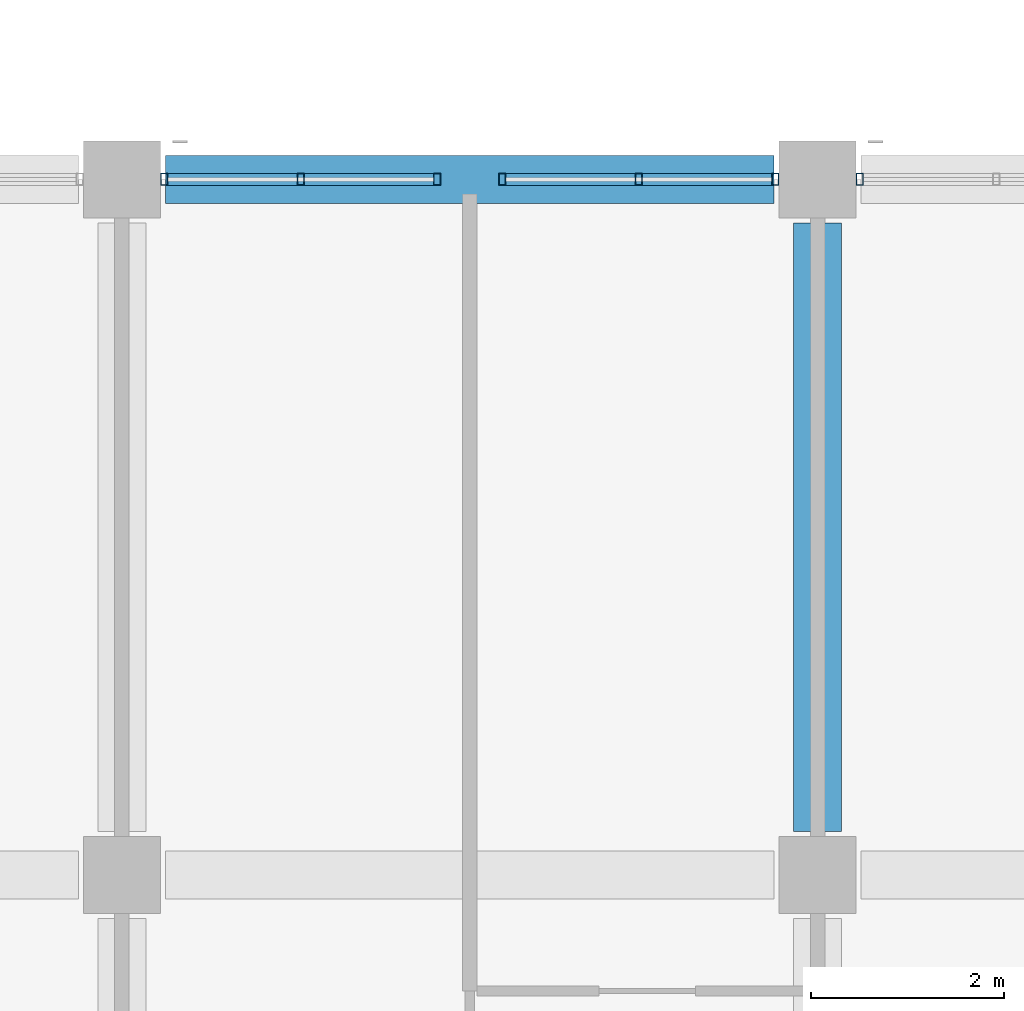
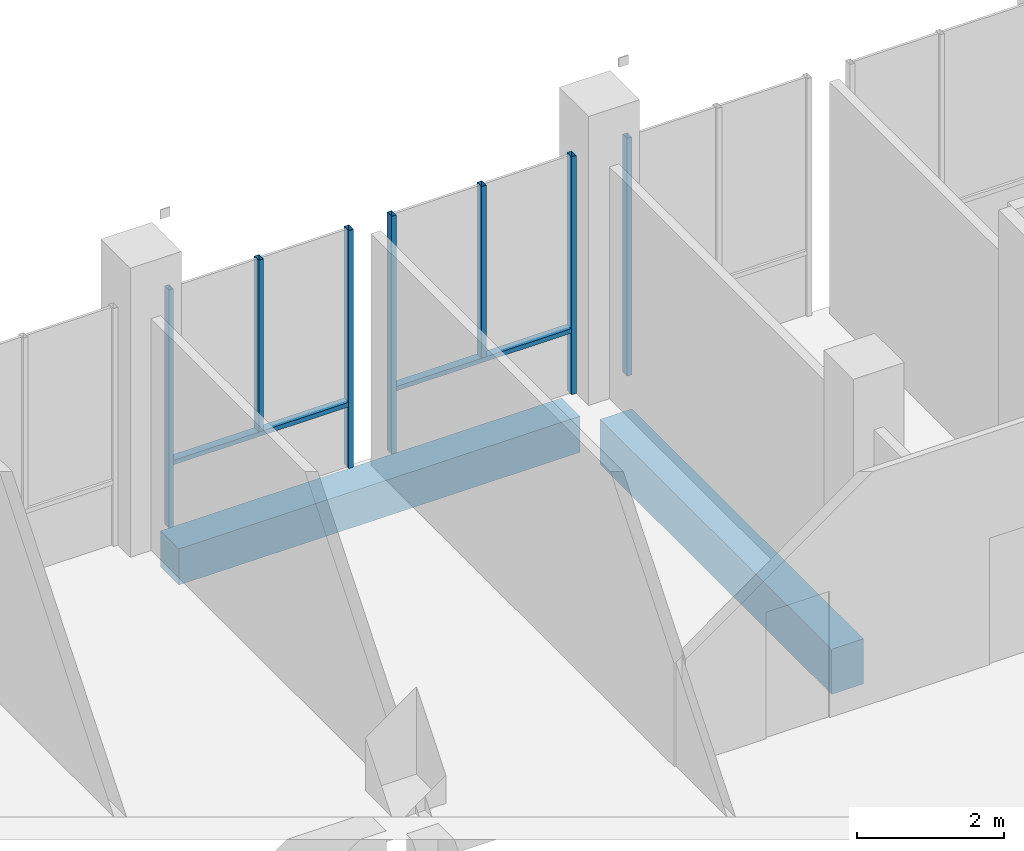
# One storey, part 3 of 31: 9 members, 2 beams, 3 elements without a shape of their own.
"""IFC4 building model written with IfcOpenShell, lengths in metres."""

from ifc_helpers import new_model, si_unit, direction, frame, origin, origin_2d, place, context, subcontext, project, spatial, rectangle, hollow_rectangle, extrude, material, material_profile, profile_set, type_object, element, aggregate, save


model = new_model("IFC4")

# Units and contexts
model_context = context("Model", 3, precision=1e-05, world=origin(), true_north=direction((0.0, 1.0)))
body_context = subcontext(model_context, "Body", "Model", "MODEL_VIEW")
ifc_project = project(units=[si_unit("LENGTHUNIT", "METRE"), si_unit("AREAUNIT", "SQUARE_METRE"), si_unit("VOLUMEUNIT", "CUBIC_METRE"), si_unit("PLANEANGLEUNIT", "RADIAN"), si_unit("MASSUNIT", "GRAM", prefix="KILO")], contexts=[model_context])

# Site, building, storey
site_placement = place(None, origin())
site = spatial("IfcSite", under=ifc_project, at=site_placement, CompositionType="ELEMENT")
building_placement = place(site_placement, origin())
building = spatial("IfcBuilding", under=site, at=building_placement, Name="Silangan Lancet Faculty of Sciences", CompositionType="ELEMENT")
storey_placement = place(building_placement, frame((0.0, 0.0, 36.0)))
storey = spatial("IfcBuildingStorey", under=building, at=storey_placement, Name="L07", CompositionType="ELEMENT", Elevation=36.0)

# Beams
ifc_material_1 = material(Name="Concrete C40/50", Category="concrete")
ifc_material_profile_1 = material_profile(ifc_material_1, rectangle(XDim=0.5, YDim=0.60009765625, at=origin_2d()), Name="RC 500x600")
ifc_profile_set_1 = profile_set([ifc_material_profile_1], Name="Concrete C40/50")
beam_type_1 = type_object("IfcBeamType", Name="BEAM RC 500x600", PredefinedType="BEAM", material=ifc_profile_set_1)
beam_1_placement = place(storey_placement, frame((7.64990234375, 21.60009765625, -0.550048828125), z_axis=(1.0, 0.0, 0.0), x_axis=(0.0, 1.0, 0.0)))
element("IfcBeam", 1, at=beam_1_placement, inside=storey, type_object=beam_type_1, Name="BM-L07-2D-3D", PredefinedType="BEAM", context=body_context, shape_type="SweptSolid", body=[
    extrude(rectangle(XDim=0.5, YDim=0.60009765625, at=origin_2d()), origin(), (0.0, 0.0, 1.0), 6.300048828125),
])
ifc_material_2 = material(Name="Concrete C40/50", Category="concrete")
ifc_material_profile_2 = material_profile(ifc_material_2, rectangle(XDim=0.5, YDim=0.75, at=origin_2d()), Name="RC 500x750")
ifc_profile_set_2 = profile_set([ifc_material_profile_2], Name="Concrete C40/50")
beam_type_2 = type_object("IfcBeamType", Name="BEAM RC 500x750", PredefinedType="BEAM", material=ifc_profile_set_2)
beam_2_placement = place(storey_placement, frame((14.39990234375, 14.85009765625, -0.625), z_axis=(0.0, 1.0, 0.0), x_axis=(-1.0, 0.0, 0.0)))
element("IfcBeam", 2, at=beam_2_placement, inside=storey, type_object=beam_type_2, Name="BM-L07-3C-3D", PredefinedType="BEAM", context=body_context, shape_type="SweptSolid", body=[
    extrude(rectangle(XDim=0.5, YDim=0.75, at=origin_2d()), origin(), (0.0, 0.0, 1.0), 6.2998046875),
])

# Curtain wall, member
ifc_material_3 = material(Name="Aluminium framed curtain wall with insulated glass", Category="aluminium")
curtain_wall_type = type_object("IfcCurtainWallType", Name="CW2 Atrium fire-resisting screen", PredefinedType="NOTDEFINED", material=ifc_material_3)
curtain_wall_1_placement = place(storey_placement, origin())
curtain_wall_1 = element("IfcCurtainWall", 3, at=curtain_wall_1_placement, inside=storey, type_object=curtain_wall_type, Name="CW2 Atrium south L07 bay 2", PredefinedType="NOTDEFINED")
ifc_material_4 = material(Name="Steel S355J2H", Category="steel")
ifc_material_profile_3 = material_profile(ifc_material_4, hollow_rectangle(XDim=0.074951171875, YDim=0.125, WallThickness=0.0048828125, at=origin_2d()), Name="ST BOX 75x125x5")
ifc_profile_set_3 = profile_set([ifc_material_profile_3], Name="Steel S355J2H")
member_type_1 = type_object("IfcMemberType", Name="CM2 Mullion 75x125", PredefinedType="MULLION", material=ifc_profile_set_3)
member_1_placement = place(storey_placement, frame((14.83740234375, 21.60009765625, 0.0), z_axis=(0.0, 0.0, 1.0), x_axis=(-1.0, 0.0, 0.0)))
member_1 = element("IfcMember", 4, at=member_1_placement, type_object=member_type_1, Name="CW2 Atrium south L07 bay 2 mullion 2", PredefinedType="MULLION", context=body_context, shape_type="SweptSolid", body=[
    extrude(hollow_rectangle(XDim=0.074951171875, YDim=0.125, WallThickness=0.0048828125, at=origin_2d()), origin(), (0.0, 0.0, 1.0), 3.949951171875),
])
aggregate(curtain_wall_1, [member_1])

# Curtain wall, members
curtain_wall_2_placement = place(storey_placement, origin())
curtain_wall_2 = element("IfcCurtainWall", 5, at=curtain_wall_2_placement, inside=storey, type_object=curtain_wall_type, Name="CW2 Atrium south L07 bay 3", PredefinedType="NOTDEFINED")
member_2_placement = place(storey_placement, frame((13.96240234375, 21.60009765625, 0.0), z_axis=(0.0, 0.0, 1.0), x_axis=(-1.0, 0.0, 0.0)))
member_2 = element("IfcMember", 6, at=member_2_placement, type_object=member_type_1, Name="CW2 Atrium south L07 bay 3 mullion 1", PredefinedType="MULLION", context=body_context, shape_type="SweptSolid", body=[
    extrude(hollow_rectangle(XDim=0.074951171875, YDim=0.125, WallThickness=0.0048828125, at=origin_2d()), origin(), (0.0, 0.0, 1.0), 3.949951171875),
])
member_3_placement = place(storey_placement, frame((11.137451171875, 21.60009765625, 0.0), z_axis=(0.0, 0.0, 1.0), x_axis=(-1.0, 0.0, 0.0)))
member_3 = element("IfcMember", 7, at=member_3_placement, type_object=member_type_1, Name="CW2 Atrium south L07 bay 3 mullion 2", PredefinedType="MULLION", context=body_context, shape_type="SweptSolid", body=[
    extrude(hollow_rectangle(XDim=0.074951171875, YDim=0.125, WallThickness=0.0048828125, at=origin_2d()), origin(), (0.0, 0.0, 1.0), 3.949951171875),
])
member_4_placement = place(storey_placement, frame((12.550048828125, 21.60009765625, 1.10009765625), z_axis=(0.0, 0.0, 1.0), x_axis=(-1.0, 0.0, 0.0)))
member_4 = element("IfcMember", 8, at=member_4_placement, type_object=member_type_1, Name="CW2 Atrium south L07 bay 3 mullion 3", PredefinedType="MULLION", context=body_context, shape_type="SweptSolid", body=[
    extrude(hollow_rectangle(XDim=0.074951171875, YDim=0.125, WallThickness=0.0048828125, at=origin_2d()), origin(), (0.0, 0.0, 1.0), 2.849853515625),
])

curtain_wall_3_placement = place(storey_placement, origin())
curtain_wall_3 = element("IfcCurtainWall", 9, at=curtain_wall_3_placement, inside=storey, type_object=curtain_wall_type, Name="CW2 Atrium south L07 bay 4", PredefinedType="NOTDEFINED")
member_5_placement = place(storey_placement, frame((10.46240234375, 21.60009765625, 0.0), z_axis=(0.0, 0.0, 1.0), x_axis=(-1.0, 0.0, 0.0)))
member_5 = element("IfcMember", 10, at=member_5_placement, type_object=member_type_1, Name="CW2 Atrium south L07 bay 4 mullion 1", PredefinedType="MULLION", context=body_context, shape_type="SweptSolid", body=[
    extrude(hollow_rectangle(XDim=0.074951171875, YDim=0.125, WallThickness=0.0048828125, at=origin_2d()), origin(), (0.0, 0.0, 1.0), 3.949951171875),
])
member_6_placement = place(storey_placement, frame((7.637451171875, 21.60009765625, 0.0), z_axis=(0.0, 0.0, 1.0), x_axis=(-1.0, 0.0, 0.0)))
member_6 = element("IfcMember", 11, at=member_6_placement, type_object=member_type_1, Name="CW2 Atrium south L07 bay 4 mullion 2", PredefinedType="MULLION", context=body_context, shape_type="SweptSolid", body=[
    extrude(hollow_rectangle(XDim=0.074951171875, YDim=0.125, WallThickness=0.0048828125, at=origin_2d()), origin(), (0.0, 0.0, 1.0), 3.949951171875),
])
member_7_placement = place(storey_placement, frame((9.050048828125, 21.60009765625, 1.10009765625), z_axis=(0.0, 0.0, 1.0), x_axis=(-1.0, 0.0, 0.0)))
member_7 = element("IfcMember", 12, at=member_7_placement, type_object=member_type_1, Name="CW2 Atrium south L07 bay 4 mullion 3", PredefinedType="MULLION", context=body_context, shape_type="SweptSolid", body=[
    extrude(hollow_rectangle(XDim=0.074951171875, YDim=0.125, WallThickness=0.0048828125, at=origin_2d()), origin(), (0.0, 0.0, 1.0), 2.849853515625),
])

# Member
ifc_material_5 = material(Name="Steel S355J2H", Category="steel")
ifc_material_profile_4 = material_profile(ifc_material_5, hollow_rectangle(XDim=0.125, YDim=0.074951171875, WallThickness=0.0048828125, at=origin_2d()), Name="ST BOX 125x75x5")
ifc_profile_set_4 = profile_set([ifc_material_profile_4], Name="Steel S355J2H")
member_type_2 = type_object("IfcMemberType", Name="CT2 Transom 125x75", PredefinedType="USERDEFINED", material=ifc_profile_set_4)
member_8_placement = place(storey_placement, frame((13.925048828125, 21.60009765625, 1.0625), z_axis=(-1.0, 0.0, 0.0), x_axis=(0.0, -1.0, 0.0)))
member_8 = element("IfcMember", 13, at=member_8_placement, type_object=member_type_2, Name="CW2 Atrium south L07 bay 3 transom 1", ObjectType="TRANSOM", PredefinedType="USERDEFINED", context=body_context, shape_type="SweptSolid", body=[
    extrude(hollow_rectangle(XDim=0.125, YDim=0.074951171875, WallThickness=0.0048828125, at=origin_2d()), origin(), (0.0, 0.0, 1.0), 2.75),
])

aggregate(curtain_wall_2, [member_2, member_3, member_4, member_8])

member_9_placement = place(storey_placement, frame((10.425048828125, 21.60009765625, 1.0625), z_axis=(-1.0, 0.0, 0.0), x_axis=(0.0, -1.0, 0.0)))
member_9 = element("IfcMember", 14, at=member_9_placement, type_object=member_type_2, Name="CW2 Atrium south L07 bay 4 transom 1", ObjectType="TRANSOM", PredefinedType="USERDEFINED", context=body_context, shape_type="SweptSolid", body=[
    extrude(hollow_rectangle(XDim=0.125, YDim=0.074951171875, WallThickness=0.0048828125, at=origin_2d()), origin(), (0.0, 0.0, 1.0), 2.75),
])

aggregate(curtain_wall_3, [member_5, member_6, member_7, member_9])

save(model, "model.ifc")
